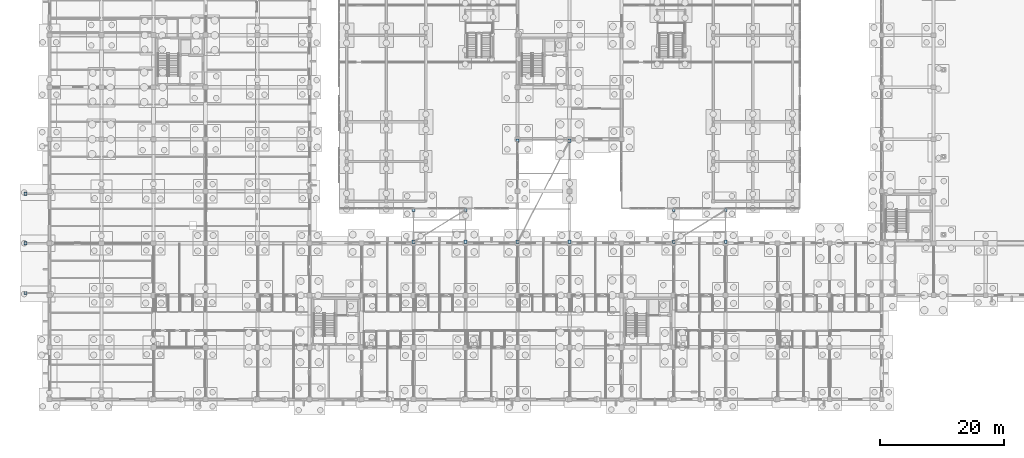
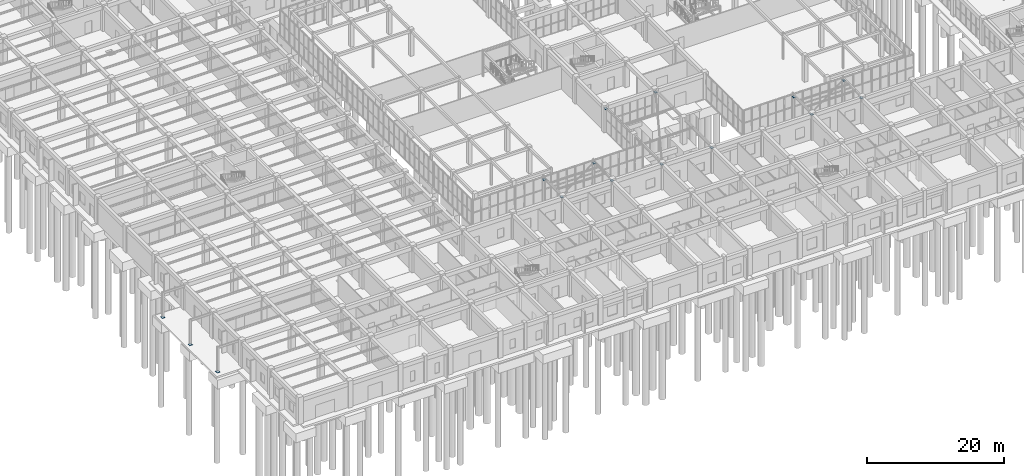
# One storey, part 146 of 192: 15 plates.
"""IFC4 building model written with IfcOpenShell, lengths in metres."""

from ifc_helpers import new_model, si_unit, direction, frame, origin, origin_2d, place, context, subcontext, project, spatial, rectangle, extrude, material, layer, layer_set, type_object, element, save


model = new_model("IFC4")

# Units and contexts
model_context = context("Model", 3, precision=1e-05, world=origin(), true_north=direction((0.0, 1.0)))
body_context = subcontext(model_context, "Body", "Model", "MODEL_VIEW")
ifc_project = project(units=[si_unit("LENGTHUNIT", "METRE"), si_unit("AREAUNIT", "SQUARE_METRE"), si_unit("VOLUMEUNIT", "CUBIC_METRE"), si_unit("PLANEANGLEUNIT", "RADIAN"), si_unit("MASSUNIT", "GRAM", prefix="KILO")], contexts=[model_context])

# Site, building, storey
site_placement = place(None, origin())
site = spatial("IfcSite", under=ifc_project, at=site_placement, CompositionType="ELEMENT")
building_placement = place(site_placement, origin())
building = spatial("IfcBuilding", under=site, at=building_placement, Name="Trelvath General Hospital", CompositionType="ELEMENT")
storey_placement = place(building_placement, origin())
storey = spatial("IfcBuildingStorey", under=building, at=storey_placement, Name="L00", CompositionType="ELEMENT", Elevation=0.0)

# Plates
ifc_material_1 = material(Name="Steel S355", Category="steel")
ifc_layer_1 = layer(ifc_material_1, 0.01611328125)
ifc_layer_set_1 = layer_set([ifc_layer_1], Name="Steel S355")
plate_type_1 = type_object("IfcPlateType", Name="BearingPlate Steel16", PredefinedType="SHEET", material=ifc_layer_set_1)
for number, where, z_axis, x_axis, name in (
    (1, (75.60009765625, 25.449951171875, 4.14404296875), (0.0, 0.0, 1.0), (1.0, 0.0, 0.0), "Bridge Sliding Seat Plate BRG-S-C W-S L01"),
    (2, (75.60009765625, 41.75, 4.14404296875), (0.0, 0.0, 1.0), (1.0, 0.0, 0.0), "Bridge Sliding Seat Plate BRG-S-C W-N L01"),
    (3, (84.0, 25.449951171875, 4.14404296875), (0.0, 0.0, 1.0), (1.0, 0.0, 0.0), "Bridge Sliding Seat Plate BRG-S-C E-S L01"),
    (4, (84.0, 41.75, 4.14404296875), (0.0, 0.0, 1.0), (1.0, 0.0, 0.0), "Bridge Sliding Seat Plate BRG-S-C E-N L01"),
    (5, (58.800048828125, 25.449951171875, 4.19384765625), (0.0, 0.0, 1.0), (1.0, 0.0, 0.0), "Bridge Sliding Seat Plate BRG-S-W W-S L01"),
    (6, (58.800048828125, 30.550048828125, 4.19384765625), (0.0, 0.0, 1.0), (1.0, 0.0, 0.0), "Bridge Sliding Seat Plate BRG-S-W W-N L01"),
    (7, (67.199951171875, 25.449951171875, 4.19384765625), (0.0, 0.0, 1.0), (1.0, 0.0, 0.0), "Bridge Sliding Seat Plate BRG-S-W E-S L01"),
    (8, (67.199951171875, 30.550048828125, 4.19384765625), (0.0, 0.0, 1.0), (1.0, 0.0, 0.0), "Bridge Sliding Seat Plate BRG-S-W E-N L01"),
    (9, (100.800048828125, 25.449951171875, 4.19384765625), (0.0, 0.0, 1.0), (1.0, 0.0, 0.0), "Bridge Sliding Seat Plate BRG-S-E W-S L01"),
    (10, (100.800048828125, 30.550048828125, 4.19384765625), (0.0, 0.0, 1.0), (1.0, 0.0, 0.0), "Bridge Sliding Seat Plate BRG-S-E W-N L01"),
    (11, (109.199951171875, 25.449951171875, 4.19384765625), (0.0, 0.0, 1.0), (1.0, 0.0, 0.0), "Bridge Sliding Seat Plate BRG-S-E E-S L01"),
    (12, (109.199951171875, 30.550048828125, 4.19384765625), (0.0, 0.0, 1.0), (1.0, 0.0, 0.0), "Bridge Sliding Seat Plate BRG-S-E E-N L01"),
):
    element("IfcPlate", number, at=place(storey_placement, frame(where, z_axis=z_axis, x_axis=x_axis)), inside=storey, type_object=plate_type_1, Name=name, PredefinedType="SHEET", context=body_context, shape_type="SweptSolid", body=[
        extrude(rectangle(XDim=0.419921875, YDim=0.5, at=origin_2d()), origin(), (0.0, 0.0, 1.0), 0.01611328125),
    ])
ifc_material_2 = material(Name="Steel S355", Category="steel")
ifc_layer_2 = layer(ifc_material_2, 0.011962890625)
ifc_layer_set_2 = layer_set([ifc_layer_2], Name="Steel S355")
plate_type_2 = type_object("IfcPlateType", Name="GussetPlate Steel12", PredefinedType="SHEET", material=ifc_layer_set_2)
for number, where, z_axis, x_axis, name in (
    (13, (-3.85009765625, 17.199951171875, 0.0), (0.0, 0.0, 1.0), (1.0, 0.0, 0.0), "West Canopy Base Plate GP-W01"),
    (14, (-3.85009765625, 25.199951171875, 0.0), (0.0, 0.0, 1.0), (1.0, 0.0, 0.0), "West Canopy Base Plate GP-W02"),
    (15, (-3.85009765625, 33.199951171875, 0.0), (0.0, 0.0, 1.0), (1.0, 0.0, 0.0), "West Canopy Base Plate GP-W03"),
):
    element("IfcPlate", number, at=place(storey_placement, frame(where, z_axis=z_axis, x_axis=x_axis)), inside=storey, type_object=plate_type_2, Name=name, PredefinedType="SHEET", context=body_context, shape_type="SweptSolid", body=[
        extrude(rectangle(XDim=0.5, YDim=0.5, at=origin_2d()), origin(), (0.0, 0.0, 1.0), 0.011962890625),
    ])

save(model, "model.ifc")
